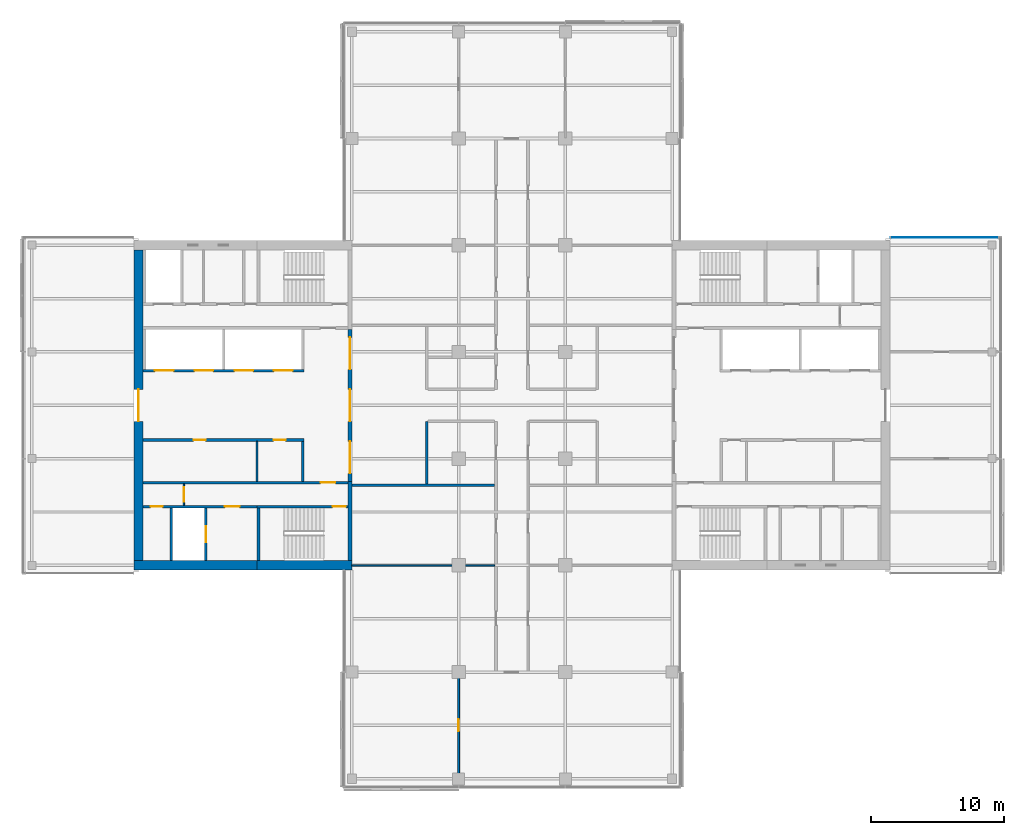
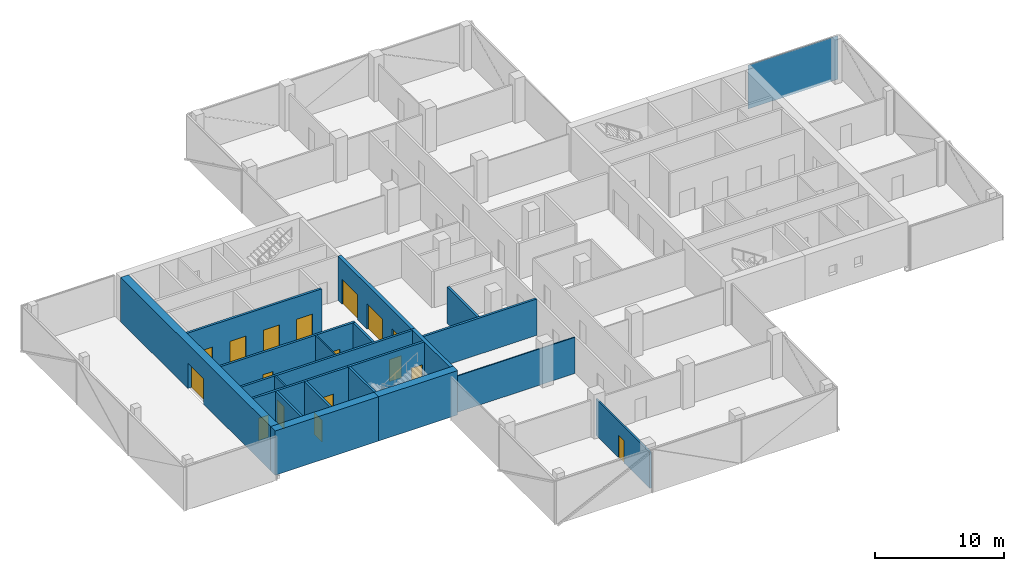
# One storey, part 13 of 22: 20 walls, 17 doors, 1 plate, 17 openings, 1 element without a shape of its own.
"""IFC4 building model written with IfcOpenShell, lengths in metres."""

from ifc_helpers import new_model, si_unit, direction, frame, frame_2d, origin, place, context, subcontext, project, spatial, polyline, rectangle, outline, extrude, material, layer, layer_set, constituent, constituent_set, type_object, element, fill, aggregate, save


model = new_model("IFC4")

# Units and contexts
model_context = context("Model", 3, precision=1e-05, world=origin(), true_north=direction((0.0, 1.0)))
body_context = subcontext(model_context, "Body", "Model", "MODEL_VIEW")
ifc_project = project(units=[si_unit("LENGTHUNIT", "METRE"), si_unit("AREAUNIT", "SQUARE_METRE"), si_unit("VOLUMEUNIT", "CUBIC_METRE"), si_unit("PLANEANGLEUNIT", "RADIAN"), si_unit("MASSUNIT", "GRAM", prefix="KILO")], contexts=[model_context])

# Site, building, storey
site_placement = place(None, origin())
site = spatial("IfcSite", under=ifc_project, at=site_placement, CompositionType="ELEMENT")
building_placement = place(site_placement, origin())
building = spatial("IfcBuilding", under=site, at=building_placement, Name="Crosswind Convention Tower", CompositionType="ELEMENT")
storey_placement = place(building_placement, frame((0.0, 0.0, 133.699951171875)))
storey = spatial("IfcBuildingStorey", under=building, at=storey_placement, Name="L27", CompositionType="ELEMENT", Elevation=133.699951171875)

# Curtain wall, plate
ifc_material_1 = material(Name="Aluminium unitised curtain wall", Category="aluminium")
curtain_wall_type = type_object("IfcCurtainWallType", Name="CORE END SLOT WALL 160", PredefinedType="USERDEFINED", material=ifc_material_1)
curtain_wall_placement = place(storey_placement, origin())
curtain_wall = element("IfcCurtainWall", 1, at=curtain_wall_placement, inside=storey, type_object=curtain_wall_type, Name="CW6 L27 E-N.1-1 slot", ObjectType="UNITISED", PredefinedType="USERDEFINED")
ifc_material_2 = material(Name="Laminated insulating glass unit", Category="glass")
ifc_layer_1 = layer(ifc_material_2, 0.02587890625)
ifc_layer_set_1 = layer_set([ifc_layer_1], Name="TRIANGULAR GLASS PANEL 26")
plate_type = type_object("IfcPlateType", Name="TRIANGULAR GLASS PANEL 26", PredefinedType="CURTAIN_PANEL", material=ifc_layer_set_1)
plate_placement = place(storey_placement, frame((161.449951171875, 112.60693359375, -0.300048828125), z_axis=(0.0, 0.999999915215, 0.000411788894), x_axis=(-1.0, 0.0, 0.0)))
plate = element("IfcPlate", 2, at=plate_placement, type_object=plate_type, Name="CW6 panel 1.1", PredefinedType="CURTAIN_PANEL", context=body_context, shape_type="SweptSolid", body=[
    extrude(outline(polyline([(0.0, 0.0), (8.050048828125, 0.0), (8.050048828125, 4.150146836245408), (0.0, 4.150146836245408), (0.0, 0.0)])), origin(), (0.0, 0.0, -1.0), 0.02587890625),
])
aggregate(curtain_wall, [plate])

# Walls
ifc_material_3 = material(Name="Concrete blockwork", Category="masonry")
ifc_layer_2 = layer(ifc_material_3, 0.199951171875)
ifc_layer_set_2 = layer_set([ifc_layer_2], Name="COMPARTMENT WALL 200 BLOCKWORK")
wall_type_1 = type_object("IfcWallType", Name="COMPARTMENT WALL 200 BLOCKWORK", PredefinedType="SOLIDWALL", material=ifc_layer_set_2)
wall_1_placement = place(storey_placement, frame((118.60009765625, 94.10009765625, 0.0), z_axis=(0.0, 0.0, 1.0), x_axis=(0.0, 1.0, 0.0)))
element("IfcWall", 3, at=wall_1_placement, inside=storey, type_object=wall_type_1, Name="Compartment wall WT42", PredefinedType="SOLIDWALL", context=body_context, shape_type="SweptSolid", body=[
    extrude(rectangle(XDim=4.699951171875, YDim=0.199951171875, at=frame_2d((2.35009765625, 0.0))), origin(), (0.0, 0.0, 1.0), 3.4365234375),
])
wall_2_placement = place(storey_placement, frame((113.0, 94.0, 0.0), z_axis=(0.0, 0.0, 1.0), x_axis=(1.0, 0.0, 0.0)))
element("IfcWall", 4, at=wall_2_placement, inside=storey, type_object=wall_type_1, Name="Compartment wall WT42", PredefinedType="SOLIDWALL", context=body_context, shape_type="SweptSolid", body=[
    extrude(rectangle(XDim=10.699951171875, YDim=0.199951171875, at=frame_2d((5.35009765625, 0.0))), origin(), (0.0, 0.0, 1.0), 3.4365234375),
])

# Wall, opening, door
ifc_material_4 = material(Name="Concrete C60/75", Category="concrete")
ifc_layer_3 = layer(ifc_material_4, 0.699951171875)
ifc_layer_set_3 = layer_set([ifc_layer_3], Name="Concrete C60/75")
wall_type_2 = type_object("IfcWallType", Name="Concrete core wall 700", PredefinedType="SHEAR", material=ifc_layer_set_3)
wall_3_placement = place(storey_placement, frame((97.0, 111.64990234375, 0.0), z_axis=(0.0, 0.0, 1.0), x_axis=(0.0, -1.0, 0.0)))
wall_3 = element("IfcWall", 5, at=wall_3_placement, inside=storey, type_object=wall_type_2, Name="Wall O W L27", PredefinedType="SHEAR", context=body_context, shape_type="SweptSolid", body=[
    extrude(rectangle(XDim=23.2998046875, YDim=0.699951171875, at=frame_2d((11.64990234375, 0.0))), origin(), (0.0, 0.0, 1.0), 4.199951171875),
])
opening_1_placement = place(wall_3_placement, frame((10.449951171875, 0.0, 0.0)))
opening_1 = element("IfcOpeningElement", 6, at=opening_1_placement, cuts=wall_3, Name="Opening D100", PredefinedType="OPENING", context=body_context, shape_type="SweptSolid", body=[
    extrude(rectangle(XDim=2.39990234375, YDim=2.39990234375, at=frame_2d((1.199951171875, 1.199951171875))), frame((0.0, 0.35986328125, 0.0), z_axis=(0.0, -1.0, 0.0), x_axis=(1.0, 0.0, 0.0)), (0.0, 0.0, 1.0), 0.719970703125),
])
ifc_material_5 = material(Name="Steel fire door with glazed vision panels", Category="steel")
door_type_1 = type_object("IfcDoorType", Name="Fire-rated double door 2400x2400", OperationType="DOUBLE_DOOR_SINGLE_SWING", PredefinedType="DOOR", material=ifc_material_5)
door_1_placement = place(opening_1_placement, frame((2.39990234375, 0.0, 0.0), z_axis=(0.0, 0.0, 1.0), x_axis=(-1.0, 0.0, 0.0)))
door_1 = element("IfcDoor", 7, at=door_1_placement, inside=storey, type_object=door_type_1, Name="Lobby outer door L27", ObjectType="D100", OperationType="DOUBLE_DOOR_SINGLE_SWING", OverallHeight=2.39990234375, OverallWidth=2.39990234375, PredefinedType="DOOR", context=body_context, shape_type="SweptSolid", body=[
    extrude(rectangle(XDim=2.39990234375, YDim=2.39990234375, at=frame_2d((1.199951171875, 1.199951171875))), frame((0.0, 0.02490234375, 0.0), z_axis=(0.0, -1.0, 0.0), x_axis=(1.0, 0.0, 0.0)), (0.0, 0.0, 1.0), 0.050048828125),
])
fill(opening_1, door_1)

# Wall, openings, doors
ifc_material_6 = material(Name="Concrete C50/60", Category="concrete")
ifc_layer_4 = layer(ifc_material_6, 0.300048828125)
ifc_layer_set_4 = layer_set([ifc_layer_4], Name="Concrete C50/60")
wall_type_3 = type_object("IfcWallType", Name="Concrete inner core wall 300", PredefinedType="SHEAR", material=ifc_layer_set_4)
wall_4_placement = place(storey_placement, frame((112.85009765625, 105.699951171875, 0.0), z_axis=(0.0, 0.0, 1.0), x_axis=(0.0, -1.0, 0.0)))
wall_4 = element("IfcWall", 8, at=wall_4_placement, inside=storey, type_object=wall_type_3, Name="Wall SCR W L27", PredefinedType="SHEAR", context=body_context, shape_type="SweptSolid", body=[
    extrude(rectangle(XDim=11.39990234375, YDim=0.300048828125, at=frame_2d((5.699951171875, 0.0))), origin(), (0.0, 0.0, 1.0), 4.199951171875),
])
opening_2_placement = place(wall_4_placement, frame((0.60009765625, 0.0, 0.0)))
opening_2 = element("IfcOpeningElement", 9, at=opening_2_placement, cuts=wall_4, Name="Opening D100", PredefinedType="OPENING", context=body_context, shape_type="SweptSolid", body=[
    extrude(rectangle(XDim=2.39990234375, YDim=2.39990234375, at=frame_2d((1.199951171875, 1.199951171875))), frame((0.0, 0.159912109375, 0.0), z_axis=(0.0, -1.0, 0.0), x_axis=(1.0, 0.0, 0.0)), (0.0, 0.0, 1.0), 0.320068359375),
])
opening_3_placement = place(wall_4_placement, frame((4.5, 0.0, 0.0)))
opening_3 = element("IfcOpeningElement", 10, at=opening_3_placement, cuts=wall_4, Name="Opening D100", PredefinedType="OPENING", context=body_context, shape_type="SweptSolid", body=[
    extrude(rectangle(XDim=2.39990234375, YDim=2.39990234375, at=frame_2d((1.199951171875, 1.199951171875))), frame((0.0, 0.159912109375, 0.0), z_axis=(0.0, -1.0, 0.0), x_axis=(1.0, 0.0, 0.0)), (0.0, 0.0, 1.0), 0.320068359375),
])
opening_4_placement = place(wall_4_placement, frame((8.39990234375, 0.0, 0.0)))
opening_4 = element("IfcOpeningElement", 11, at=opening_4_placement, cuts=wall_4, Name="Opening D100", PredefinedType="OPENING", context=body_context, shape_type="SweptSolid", body=[
    extrude(rectangle(XDim=2.39990234375, YDim=2.39990234375, at=frame_2d((1.199951171875, 1.199951171875))), frame((0.0, 0.159912109375, 0.0), z_axis=(0.0, -1.0, 0.0), x_axis=(1.0, 0.0, 0.0)), (0.0, 0.0, 1.0), 0.320068359375),
])
door_2_placement = place(opening_2_placement, origin())
door_2 = element("IfcDoor", 12, at=door_2_placement, inside=storey, type_object=door_type_1, Name="Lobby door 1 L27", ObjectType="D100", OperationType="DOUBLE_DOOR_SINGLE_SWING", OverallHeight=2.39990234375, OverallWidth=2.39990234375, PredefinedType="DOOR", context=body_context, shape_type="SweptSolid", body=[
    extrude(rectangle(XDim=2.39990234375, YDim=2.39990234375, at=frame_2d((1.199951171875, 1.199951171875))), frame((0.0, 0.02490234375, 0.0), z_axis=(0.0, -1.0, 0.0), x_axis=(1.0, 0.0, 0.0)), (0.0, 0.0, 1.0), 0.050048828125),
])
fill(opening_2, door_2)
door_3_placement = place(opening_3_placement, origin())
door_3 = element("IfcDoor", 13, at=door_3_placement, inside=storey, type_object=door_type_1, Name="Lobby door 2 L27", ObjectType="D100", OperationType="DOUBLE_DOOR_SINGLE_SWING", OverallHeight=2.39990234375, OverallWidth=2.39990234375, PredefinedType="DOOR", context=body_context, shape_type="SweptSolid", body=[
    extrude(rectangle(XDim=2.39990234375, YDim=2.39990234375, at=frame_2d((1.199951171875, 1.199951171875))), frame((0.0, 0.02490234375, 0.0), z_axis=(0.0, -1.0, 0.0), x_axis=(1.0, 0.0, 0.0)), (0.0, 0.0, 1.0), 0.050048828125),
])
fill(opening_3, door_3)
door_4_placement = place(opening_4_placement, origin())
door_4 = element("IfcDoor", 14, at=door_4_placement, inside=storey, type_object=door_type_1, Name="Lobby door 3 L27", ObjectType="D100", OperationType="DOUBLE_DOOR_SINGLE_SWING", OverallHeight=2.39990234375, OverallWidth=2.39990234375, PredefinedType="DOOR", context=body_context, shape_type="SweptSolid", body=[
    extrude(rectangle(XDim=2.39990234375, YDim=2.39990234375, at=frame_2d((1.199951171875, 1.199951171875))), frame((0.0, 0.02490234375, 0.0), z_axis=(0.0, -1.0, 0.0), x_axis=(1.0, 0.0, 0.0)), (0.0, 0.0, 1.0), 0.050048828125),
])
fill(opening_4, door_4)

# Walls
wall_5_placement = place(storey_placement, frame((112.85009765625, 94.300048828125, 0.0), z_axis=(0.0, 0.0, 1.0), x_axis=(0.0, -1.0, 0.0)))
element("IfcWall", 15, at=wall_5_placement, inside=storey, type_object=wall_type_3, Name="Wall EP W L27", PredefinedType="SHEAR", context=body_context, shape_type="SweptSolid", body=[
    extrude(rectangle(XDim=5.949951171875, YDim=0.300048828125, at=frame_2d((2.97509765625, 0.0))), origin(), (0.0, 0.0, 1.0), 4.199951171875),
])
ifc_layer_5 = layer(ifc_material_6, 0.199951171875)
ifc_layer_set_5 = layer_set([ifc_layer_5], Name="Concrete C50/60")
wall_type_4 = type_object("IfcWallType", Name="Concrete shaft and stair wall 200", PredefinedType="SHEAR", material=ifc_layer_set_5)
wall_6_placement = place(storey_placement, frame((109.300048828125, 97.300048828125, 0.0), z_axis=(0.0, 0.0, 1.0), x_axis=(0.0, -1.0, 0.0)))
element("IfcWall", 16, at=wall_6_placement, inside=storey, type_object=wall_type_4, Name="Wall RPEND W L27", PredefinedType="SHEAR", context=body_context, shape_type="SweptSolid", body=[
    extrude(rectangle(XDim=3.0, YDim=0.199951171875, at=frame_2d((1.5, 0.0))), origin(), (0.0, 0.0, 1.0), 4.199951171875),
])

# Wall, openings, doors
wall_7_placement = place(storey_placement, frame((109.39990234375, 97.39990234375, 0.0), z_axis=(0.0, 0.0, 1.0), x_axis=(-1.0, 0.0, 0.0)))
wall_7 = element("IfcWall", 17, at=wall_7_placement, inside=storey, type_object=wall_type_4, Name="Wall RPFRONT W L27", PredefinedType="SHEAR", context=body_context, shape_type="SweptSolid", body=[
    extrude(rectangle(XDim=12.0498046875, YDim=0.199951171875, at=frame_2d((6.02490234375, 0.0))), origin(), (0.0, 0.0, 1.0), 4.199951171875),
])
opening_5_placement = place(wall_7_placement, frame((1.377685546875, 0.0, 0.0)))
opening_5 = element("IfcOpeningElement", 18, at=opening_5_placement, cuts=wall_7, Name="Opening D106", PredefinedType="OPENING", context=body_context, shape_type="SweptSolid", body=[
    extrude(rectangle(XDim=0.89990234375, YDim=2.10009765625, at=frame_2d((0.449951171875, 1.050048828125))), frame((0.0, 0.10986328125, 0.0), z_axis=(0.0, -1.0, 0.0), x_axis=(1.0, 0.0, 0.0)), (0.0, 0.0, 1.0), 0.219970703125),
])
opening_6_placement = place(wall_7_placement, frame((7.365234375, 0.0, 0.0)))
opening_6 = element("IfcOpeningElement", 19, at=opening_6_placement, cuts=wall_7, Name="Opening D106", PredefinedType="OPENING", context=body_context, shape_type="SweptSolid", body=[
    extrude(rectangle(XDim=0.89990234375, YDim=2.10009765625, at=frame_2d((0.449951171875, 1.050048828125))), frame((0.0, 0.10986328125, 0.0), z_axis=(0.0, -1.0, 0.0), x_axis=(1.0, 0.0, 0.0)), (0.0, 0.0, 1.0), 0.219970703125),
])
ifc_material_7 = material(Name="Timber door", Category="wood")
door_type_2 = type_object("IfcDoorType", Name="Single leaf door 900x2100", OperationType="NOTDEFINED", PredefinedType="DOOR", material=ifc_material_7)
door_5_placement = place(opening_5_placement, origin())
door_5 = element("IfcDoor", 20, at=door_5_placement, inside=storey, type_object=door_type_2, Name="Door to tenant services room L27", ObjectType="D106", OperationType="SINGLE_SWING_RIGHT", OverallHeight=2.10009765625, OverallWidth=0.89990234375, PredefinedType="DOOR", context=body_context, shape_type="SweptSolid", body=[
    extrude(rectangle(XDim=0.89990234375, YDim=2.10009765625, at=frame_2d((0.449951171875, 1.050048828125))), frame((0.0, 0.02490234375, 0.0), z_axis=(0.0, -1.0, 0.0), x_axis=(1.0, 0.0, 0.0)), (0.0, 0.0, 1.0), 0.050048828125),
])
fill(opening_5, door_5)
door_6_placement = place(opening_6_placement, origin())
door_6 = element("IfcDoor", 21, at=door_6_placement, inside=storey, type_object=door_type_2, Name="Door to copy and print room L27", ObjectType="D106", OperationType="SINGLE_SWING_RIGHT", OverallHeight=2.10009765625, OverallWidth=0.89990234375, PredefinedType="DOOR", context=body_context, shape_type="SweptSolid", body=[
    extrude(rectangle(XDim=0.89990234375, YDim=2.10009765625, at=frame_2d((0.449951171875, 1.050048828125))), frame((0.0, 0.02490234375, 0.0), z_axis=(0.0, -1.0, 0.0), x_axis=(1.0, 0.0, 0.0)), (0.0, 0.0, 1.0), 0.050048828125),
])
fill(opening_6, door_6)

wall_8_placement = place(storey_placement, frame((109.39990234375, 102.60009765625, 0.0), z_axis=(0.0, 0.0, 1.0), x_axis=(-1.0, 0.0, 0.0)))
wall_8 = element("IfcWall", 22, at=wall_8_placement, inside=storey, type_object=wall_type_4, Name="Wall RMFRONT W L27", PredefinedType="SHEAR", context=body_context, shape_type="SweptSolid", body=[
    extrude(rectangle(XDim=12.0498046875, YDim=0.199951171875, at=frame_2d((6.02490234375, 0.0))), origin(), (0.0, 0.0, 1.0), 4.199951171875),
])
opening_7_placement = place(wall_8_placement, frame((0.85009765625, 0.0, 0.0)))
opening_7 = element("IfcOpeningElement", 23, at=opening_7_placement, cuts=wall_8, Name="Opening LD2", PredefinedType="OPENING", context=body_context, shape_type="SweptSolid", body=[
    extrude(rectangle(XDim=1.39990234375, YDim=2.10009765625, at=frame_2d((0.699951171875, 1.050048828125))), frame((0.0, 0.10986328125, 0.0), z_axis=(0.0, -1.0, 0.0), x_axis=(1.0, 0.0, 0.0)), (0.0, 0.0, 1.0), 0.219970703125),
])
opening_8_placement = place(wall_8_placement, frame((3.800048828125, 0.0, 0.0)))
opening_8 = element("IfcOpeningElement", 24, at=opening_8_placement, cuts=wall_8, Name="Opening LD2", PredefinedType="OPENING", context=body_context, shape_type="SweptSolid", body=[
    extrude(rectangle(XDim=1.39990234375, YDim=2.10009765625, at=frame_2d((0.699951171875, 1.050048828125))), frame((0.0, 0.10986328125, 0.0), z_axis=(0.0, -1.0, 0.0), x_axis=(1.0, 0.0, 0.0)), (0.0, 0.0, 1.0), 0.219970703125),
])
opening_9_placement = place(wall_8_placement, frame((6.800048828125, 0.0, 0.0)))
opening_9 = element("IfcOpeningElement", 25, at=opening_9_placement, cuts=wall_8, Name="Opening LD2", PredefinedType="OPENING", context=body_context, shape_type="SweptSolid", body=[
    extrude(rectangle(XDim=1.39990234375, YDim=2.10009765625, at=frame_2d((0.699951171875, 1.050048828125))), frame((0.0, 0.10986328125, 0.0), z_axis=(0.0, -1.0, 0.0), x_axis=(1.0, 0.0, 0.0)), (0.0, 0.0, 1.0), 0.219970703125),
])
opening_10_placement = place(wall_8_placement, frame((9.77490234375, 0.0, 0.0)))
opening_10 = element("IfcOpeningElement", 26, at=opening_10_placement, cuts=wall_8, Name="Opening LD2", PredefinedType="OPENING", context=body_context, shape_type="SweptSolid", body=[
    extrude(rectangle(XDim=1.39990234375, YDim=2.10009765625, at=frame_2d((0.699951171875, 1.050048828125))), frame((0.0, 0.10986328125, 0.0), z_axis=(0.0, -1.0, 0.0), x_axis=(1.0, 0.0, 0.0)), (0.0, 0.0, 1.0), 0.219970703125),
])
ifc_material_8 = material(Name="Stainless steel", Category="steel")
door_type_3 = type_object("IfcDoorType", Name="Lift landing door 1400x2100", OperationType="DOUBLE_DOOR_SLIDING", PredefinedType="DOOR", material=ifc_material_8)
door_7_placement = place(opening_7_placement, origin())
door_7 = element("IfcDoor", 27, at=door_7_placement, inside=storey, type_object=door_type_3, Name="Landing door A5 L27", ObjectType="LD2", OperationType="DOUBLE_DOOR_SLIDING", OverallHeight=2.10009765625, OverallWidth=1.39990234375, PredefinedType="DOOR", context=body_context, shape_type="SweptSolid", body=[
    extrude(rectangle(XDim=1.39990234375, YDim=2.10009765625, at=frame_2d((0.699951171875, 1.050048828125))), frame((0.0, 0.02490234375, 0.0), z_axis=(0.0, -1.0, 0.0), x_axis=(1.0, 0.0, 0.0)), (0.0, 0.0, 1.0), 0.050048828125),
])
fill(opening_7, door_7)
door_8_placement = place(opening_8_placement, origin())
door_8 = element("IfcDoor", 28, at=door_8_placement, inside=storey, type_object=door_type_3, Name="Landing door A6 L27", ObjectType="LD2", OperationType="DOUBLE_DOOR_SLIDING", OverallHeight=2.10009765625, OverallWidth=1.39990234375, PredefinedType="DOOR", context=body_context, shape_type="SweptSolid", body=[
    extrude(rectangle(XDim=1.39990234375, YDim=2.10009765625, at=frame_2d((0.699951171875, 1.050048828125))), frame((0.0, 0.02490234375, 0.0), z_axis=(0.0, -1.0, 0.0), x_axis=(1.0, 0.0, 0.0)), (0.0, 0.0, 1.0), 0.050048828125),
])
fill(opening_8, door_8)
door_9_placement = place(opening_9_placement, origin())
door_9 = element("IfcDoor", 29, at=door_9_placement, inside=storey, type_object=door_type_3, Name="Landing door A7 L27", ObjectType="LD2", OperationType="DOUBLE_DOOR_SLIDING", OverallHeight=2.10009765625, OverallWidth=1.39990234375, PredefinedType="DOOR", context=body_context, shape_type="SweptSolid", body=[
    extrude(rectangle(XDim=1.39990234375, YDim=2.10009765625, at=frame_2d((0.699951171875, 1.050048828125))), frame((0.0, 0.02490234375, 0.0), z_axis=(0.0, -1.0, 0.0), x_axis=(1.0, 0.0, 0.0)), (0.0, 0.0, 1.0), 0.050048828125),
])
fill(opening_9, door_9)
door_10_placement = place(opening_10_placement, origin())
door_10 = element("IfcDoor", 30, at=door_10_placement, inside=storey, type_object=door_type_3, Name="Landing door A8 L27", ObjectType="LD2", OperationType="DOUBLE_DOOR_SLIDING", OverallHeight=2.10009765625, OverallWidth=1.39990234375, PredefinedType="DOOR", context=body_context, shape_type="SweptSolid", body=[
    extrude(rectangle(XDim=1.39990234375, YDim=2.10009765625, at=frame_2d((0.699951171875, 1.050048828125))), frame((0.0, 0.02490234375, 0.0), z_axis=(0.0, -1.0, 0.0), x_axis=(1.0, 0.0, 0.0)), (0.0, 0.0, 1.0), 0.050048828125),
])
fill(opening_10, door_10)

# Wall, opening, door
wall_9_placement = place(storey_placement, frame((112.699951171875, 94.199951171875, 0.0), z_axis=(0.0, 0.0, 1.0), x_axis=(-1.0, 0.0, 0.0)))
wall_9 = element("IfcWall", 31, at=wall_9_placement, inside=storey, type_object=wall_type_4, Name="Wall HP W L27", PredefinedType="SHEAR", context=body_context, shape_type="SweptSolid", body=[
    extrude(rectangle(XDim=15.349853515625, YDim=0.199951171875, at=frame_2d((7.6748046875, 0.0))), origin(), (0.0, 0.0, 1.0), 4.199951171875),
])
opening_11_placement = place(wall_9_placement, frame((0.949951171875, 0.0, 0.0)))
opening_11 = element("IfcOpeningElement", 32, at=opening_11_placement, cuts=wall_9, Name="Opening D104", PredefinedType="OPENING", context=body_context, shape_type="SweptSolid", body=[
    extrude(rectangle(XDim=1.10009765625, YDim=2.10009765625, at=frame_2d((0.550048828125, 1.050048828125))), frame((0.0, 0.10986328125, 0.0), z_axis=(0.0, -1.0, 0.0), x_axis=(1.0, 0.0, 0.0)), (0.0, 0.0, 1.0), 0.219970703125),
])
ifc_material_9 = material(Name="Steel fire door", Category="steel")
door_type_4 = type_object("IfcDoorType", Name="Fire-rated single door 1100x2100", OperationType="NOTDEFINED", PredefinedType="DOOR", material=ifc_material_9)
door_11_placement = place(opening_11_placement, origin())
door_11 = element("IfcDoor", 33, at=door_11_placement, inside=storey, type_object=door_type_4, Name="Corridor door L27", ObjectType="D104", OperationType="SINGLE_SWING_LEFT", OverallHeight=2.10009765625, OverallWidth=1.10009765625, PredefinedType="DOOR", context=body_context, shape_type="SweptSolid", body=[
    extrude(rectangle(XDim=1.10009765625, YDim=2.10009765625, at=frame_2d((0.550048828125, 1.050048828125))), frame((0.0, 0.02490234375, 0.0), z_axis=(0.0, -1.0, 0.0), x_axis=(1.0, 0.0, 0.0)), (0.0, 0.0, 1.0), 0.050048828125),
])
fill(opening_11, door_11)

# Wall
wall_10_placement = place(storey_placement, frame((106.0, 92.300048828125, 0.0), z_axis=(0.0, 0.0, 1.0), x_axis=(0.0, -1.0, 0.0)))
element("IfcWall", 34, at=wall_10_placement, inside=storey, type_object=wall_type_4, Name="Wall PSE W L27", PredefinedType="SHEAR", context=body_context, shape_type="SweptSolid", body=[
    extrude(rectangle(XDim=3.949951171875, YDim=0.199951171875, at=frame_2d((1.97509765625, 0.0))), origin(), (0.0, 0.0, 1.0), 4.199951171875),
])

# Wall, opening, door
wall_11_placement = place(storey_placement, frame((102.050048828125, 92.300048828125, 0.0), z_axis=(0.0, 0.0, 1.0), x_axis=(0.0, -1.0, 0.0)))
wall_11 = element("IfcWall", 35, at=wall_11_placement, inside=storey, type_object=wall_type_4, Name="Wall PFLW W L27", PredefinedType="SHEAR", context=body_context, shape_type="SweptSolid", body=[
    extrude(rectangle(XDim=3.949951171875, YDim=0.199951171875, at=frame_2d((1.97509765625, 0.0))), origin(), (0.0, 0.0, 1.0), 4.199951171875),
])
opening_12_placement = place(wall_11_placement, frame((1.375, 0.0, 0.0)))
opening_12 = element("IfcOpeningElement", 36, at=opening_12_placement, cuts=wall_11, Name="Opening LD1", PredefinedType="OPENING", context=body_context, shape_type="SweptSolid", body=[
    extrude(rectangle(XDim=1.199951171875, YDim=2.10009765625, at=frame_2d((0.60009765625, 1.050048828125))), frame((0.0, 0.10986328125, 0.0), z_axis=(0.0, -1.0, 0.0), x_axis=(1.0, 0.0, 0.0)), (0.0, 0.0, 1.0), 0.219970703125),
])
door_type_5 = type_object("IfcDoorType", Name="Lift landing door 1200x2100", OperationType="DOUBLE_DOOR_SLIDING", PredefinedType="DOOR", material=ifc_material_8)
door_12_placement = place(opening_12_placement, origin())
door_12 = element("IfcDoor", 37, at=door_12_placement, inside=storey, type_object=door_type_5, Name="Landing door FF2 L27", ObjectType="LD1", OperationType="DOUBLE_DOOR_SLIDING", OverallHeight=2.10009765625, OverallWidth=1.199951171875, PredefinedType="DOOR", context=body_context, shape_type="SweptSolid", body=[
    extrude(rectangle(XDim=1.199951171875, YDim=2.10009765625, at=frame_2d((0.60009765625, 1.050048828125))), frame((0.0, 0.02490234375, 0.0), z_axis=(0.0, -1.0, 0.0), x_axis=(1.0, 0.0, 0.0)), (0.0, 0.0, 1.0), 0.050048828125),
])
fill(opening_12, door_12)

# Wall
wall_12_placement = place(storey_placement, frame((99.449951171875, 92.300048828125, 0.0), z_axis=(0.0, 0.0, 1.0), x_axis=(0.0, -1.0, 0.0)))
element("IfcWall", 38, at=wall_12_placement, inside=storey, type_object=wall_type_4, Name="Wall PFSE W L27", PredefinedType="SHEAR", context=body_context, shape_type="SweptSolid", body=[
    extrude(rectangle(XDim=3.949951171875, YDim=0.199951171875, at=frame_2d((1.97509765625, 0.0))), origin(), (0.0, 0.0, 1.0), 4.199951171875),
])

# Wall, opening, door
wall_13_placement = place(storey_placement, frame((112.699951171875, 92.39990234375, 0.0), z_axis=(0.0, 0.0, 1.0), x_axis=(-1.0, 0.0, 0.0)))
wall_13 = element("IfcWall", 39, at=wall_13_placement, inside=storey, type_object=wall_type_4, Name="Wall PCW W L27", PredefinedType="SHEAR", context=body_context, shape_type="SweptSolid", body=[
    extrude(rectangle(XDim=6.800048828125, YDim=0.199951171875, at=frame_2d((3.39990234375, 0.0))), origin(), (0.0, 0.0, 1.0), 4.199951171875),
])
opening_13_placement = place(wall_13_placement, frame((0.14990234375, 0.0, 0.0)))
opening_13 = element("IfcOpeningElement", 40, at=opening_13_placement, cuts=wall_13, Name="Opening D103", PredefinedType="OPENING", context=body_context, shape_type="SweptSolid", body=[
    extrude(rectangle(XDim=1.0, YDim=2.10009765625, at=frame_2d((0.5, 1.050048828125))), frame((0.0, 0.10986328125, 0.0), z_axis=(0.0, -1.0, 0.0), x_axis=(1.0, 0.0, 0.0)), (0.0, 0.0, 1.0), 0.219970703125),
])
door_type_6 = type_object("IfcDoorType", Name="Fire-rated single door 1000x2100", OperationType="NOTDEFINED", PredefinedType="DOOR", material=ifc_material_9)
door_13_placement = place(opening_13_placement, origin())
door_13 = element("IfcDoor", 41, at=door_13_placement, inside=storey, type_object=door_type_6, Name="Stair ST3 door L27", ObjectType="D103", OperationType="SINGLE_SWING_LEFT", OverallHeight=2.10009765625, OverallWidth=1.0, PredefinedType="DOOR", context=body_context, shape_type="SweptSolid", body=[
    extrude(rectangle(XDim=1.0, YDim=2.10009765625, at=frame_2d((0.5, 1.050048828125))), frame((0.0, 0.02490234375, 0.0), z_axis=(0.0, -1.0, 0.0), x_axis=(1.0, 0.0, 0.0)), (0.0, 0.0, 1.0), 0.050048828125),
])
fill(opening_13, door_13)

# Wall, openings, doors
wall_14_placement = place(storey_placement, frame((105.89990234375, 92.39990234375, 0.0), z_axis=(0.0, 0.0, 1.0), x_axis=(-1.0, 0.0, 0.0)))
wall_14 = element("IfcWall", 42, at=wall_14_placement, inside=storey, type_object=wall_type_4, Name="Wall PCX W L27", PredefinedType="SHEAR", context=body_context, shape_type="SweptSolid", body=[
    extrude(rectangle(XDim=8.5498046875, YDim=0.199951171875, at=frame_2d((4.27490234375, 0.0))), origin(), (0.0, 0.0, 1.0), 4.199951171875),
])
opening_14_placement = place(wall_14_placement, frame((1.324951171875, 0.0, 0.0)))
opening_14 = element("IfcOpeningElement", 43, at=opening_14_placement, cuts=wall_14, Name="Opening D104", PredefinedType="OPENING", context=body_context, shape_type="SweptSolid", body=[
    extrude(rectangle(XDim=1.10009765625, YDim=2.10009765625, at=frame_2d((0.550048828125, 1.050048828125))), frame((0.0, 0.10986328125, 0.0), z_axis=(0.0, -1.0, 0.0), x_axis=(1.0, 0.0, 0.0)), (0.0, 0.0, 1.0), 0.219970703125),
])
opening_15_placement = place(wall_14_placement, frame((7.10009765625, 0.0, 0.0)))
opening_15 = element("IfcOpeningElement", 44, at=opening_15_placement, cuts=wall_14, Name="Opening D106", PredefinedType="OPENING", context=body_context, shape_type="SweptSolid", body=[
    extrude(rectangle(XDim=0.89990234375, YDim=2.10009765625, at=frame_2d((0.449951171875, 1.050048828125))), frame((0.0, 0.10986328125, 0.0), z_axis=(0.0, -1.0, 0.0), x_axis=(1.0, 0.0, 0.0)), (0.0, 0.0, 1.0), 0.219970703125),
])
door_14_placement = place(opening_14_placement, origin())
door_14 = element("IfcDoor", 45, at=door_14_placement, inside=storey, type_object=door_type_4, Name="Fire-fighting lobby FF2 door L27", ObjectType="D104", OperationType="SINGLE_SWING_RIGHT", OverallHeight=2.10009765625, OverallWidth=1.10009765625, PredefinedType="DOOR", context=body_context, shape_type="SweptSolid", body=[
    extrude(rectangle(XDim=1.10009765625, YDim=2.10009765625, at=frame_2d((0.550048828125, 1.050048828125))), frame((0.0, 0.02490234375, 0.0), z_axis=(0.0, -1.0, 0.0), x_axis=(1.0, 0.0, 0.0)), (0.0, 0.0, 1.0), 0.050048828125),
])
fill(opening_14, door_14)
door_15_placement = place(opening_15_placement, origin())
door_15 = element("IfcDoor", 46, at=door_15_placement, inside=storey, type_object=door_type_2, Name="Door to telecoms room L27", ObjectType="D106", OperationType="SINGLE_SWING_RIGHT", OverallHeight=2.10009765625, OverallWidth=0.89990234375, PredefinedType="DOOR", context=body_context, shape_type="SweptSolid", body=[
    extrude(rectangle(XDim=0.89990234375, YDim=2.10009765625, at=frame_2d((0.449951171875, 1.050048828125))), frame((0.0, 0.02490234375, 0.0), z_axis=(0.0, -1.0, 0.0), x_axis=(1.0, 0.0, 0.0)), (0.0, 0.0, 1.0), 0.050048828125),
])
fill(opening_15, door_15)

# Wall
ifc_material_10 = material(Name="Gypsum plasterboard partition", Category="gypsum")
ifc_layer_6 = layer(ifc_material_10, 0.125)
ifc_layer_set_6 = layer_set([ifc_layer_6], Name="Drywall partition wall 125")
wall_type_5 = type_object("IfcWallType", Name="Drywall partition wall 125", PredefinedType="PARTITIONING", material=ifc_layer_set_6)
wall_15_placement = place(storey_placement, frame((105.882080078125, 97.300048828125, 0.0), z_axis=(0.0, 0.0, 1.0), x_axis=(0.0, -1.0, 0.0)))
element("IfcWall", 47, at=wall_15_placement, inside=storey, type_object=wall_type_5, Name="Wall RPP1 W L27", PredefinedType="PARTITIONING", context=body_context, shape_type="SweptSolid", body=[
    extrude(rectangle(XDim=3.0, YDim=0.125, at=frame_2d((1.5, 0.0))), origin(), (0.0, 0.0, 1.0), 4.199951171875),
])

# Wall, opening, door
wall_16_placement = place(storey_placement, frame((100.39990234375, 94.10009765625, 0.0), z_axis=(0.0, 0.0, 1.0), x_axis=(0.0, -1.0, 0.0)))
wall_16 = element("IfcWall", 48, at=wall_16_placement, inside=storey, type_object=wall_type_5, Name="Wall PXC1 W L27", PredefinedType="PARTITIONING", context=body_context, shape_type="SweptSolid", body=[
    extrude(rectangle(XDim=1.60009765625, YDim=0.125, at=frame_2d((0.800048828125, 0.0))), origin(), (0.0, 0.0, 1.0), 4.199951171875),
])
opening_16_placement = place(wall_16_placement, frame((0.25, 0.0, 0.0)))
opening_16 = element("IfcOpeningElement", 49, at=opening_16_placement, cuts=wall_16, Name="Opening D104", PredefinedType="OPENING", context=body_context, shape_type="SweptSolid", body=[
    extrude(rectangle(XDim=1.10009765625, YDim=2.10009765625, at=frame_2d((0.550048828125, 1.050048828125))), frame((0.0, 0.072509765625, 0.0), z_axis=(0.0, -1.0, 0.0), x_axis=(1.0, 0.0, 0.0)), (0.0, 0.0, 1.0), 0.14501953125),
])
door_16_placement = place(opening_16_placement, origin())
door_16 = element("IfcDoor", 50, at=door_16_placement, inside=storey, type_object=door_type_4, Name="Corridor smoke door L27", ObjectType="D104", OperationType="SINGLE_SWING_RIGHT", OverallHeight=2.10009765625, OverallWidth=1.10009765625, PredefinedType="DOOR", context=body_context, shape_type="SweptSolid", body=[
    extrude(rectangle(XDim=1.10009765625, YDim=2.10009765625, at=frame_2d((0.550048828125, 1.050048828125))), frame((0.0, 0.02490234375, 0.0), z_axis=(0.0, -1.0, 0.0), x_axis=(1.0, 0.0, 0.0)), (0.0, 0.0, 1.0), 0.050048828125),
])
fill(opening_16, door_16)

# Wall
ifc_material_11 = material(Name="Plasterboard partition", Category="gypsum")
ifc_layer_7 = layer(ifc_material_11, 0.10009765625)
ifc_layer_set_7 = layer_set([ifc_layer_7], Name="PARTITION 100 METAL STUD")
wall_type_6 = type_object("IfcWallType", Name="PARTITION 100 METAL STUD", PredefinedType="PARTITIONING", material=ifc_layer_set_7)
wall_17_placement = place(storey_placement, frame((113.0, 88.0, 0.0), z_axis=(0.0, 0.0, 1.0), x_axis=(1.0, 0.0, 0.0)))
element("IfcWall", 51, at=wall_17_placement, inside=storey, type_object=wall_type_6, Name="Partition wall WT40", PredefinedType="PARTITIONING", context=body_context, shape_type="SweptSolid", body=[
    extrude(rectangle(XDim=10.699951171875, YDim=0.10009765625, at=frame_2d((5.35009765625, 0.0))), origin(), (0.0, 0.0, 1.0), 3.4365234375),
])

# Wall, opening, door
ifc_material_12 = material(Name="Fire-board partition with mineral wool", Category="gypsum")
ifc_layer_8 = layer(ifc_material_12, 0.14990234375)
ifc_layer_set_8 = layer_set([ifc_layer_8], Name="TENANCY WALL 150 TWO-HOUR BOARD")
wall_type_7 = type_object("IfcWallType", Name="TENANCY WALL 150 TWO-HOUR BOARD", PredefinedType="PARTITIONING", material=ifc_layer_set_8)
wall_18_placement = place(storey_placement, frame((121.0, 71.580078125, 0.0), z_axis=(0.0, 0.0, 1.0), x_axis=(0.0, 1.0, 0.0)))
wall_18 = element("IfcWall", 52, at=wall_18_placement, inside=storey, type_object=wall_type_7, Name="Tenancy wall WT41", PredefinedType="PARTITIONING", context=body_context, shape_type="SweptSolid", body=[
    extrude(rectangle(XDim=8.344970703125, YDim=0.14990234375, at=frame_2d((4.17236328125, 0.0))), origin(), (0.0, 0.0, 1.0), 3.4365234375),
])
opening_17_placement = place(wall_18_placement, frame((3.969970703125, 0.0, 0.0)))
opening_17 = element("IfcOpeningElement", 53, at=opening_17_placement, cuts=wall_18, Name="Opening L27-67", PredefinedType="OPENING", context=body_context, shape_type="SweptSolid", body=[
    extrude(rectangle(XDim=0.89990234375, YDim=2.10009765625, at=frame_2d((0.449951171875, 1.050048828125))), frame((0.0, 0.0849609375, 0.0), z_axis=(0.0, -1.0, 0.0), x_axis=(1.0, 0.0, 0.0)), (0.0, 0.0, 1.0), 0.169921875),
])
door_type_7 = type_object("IfcDoorType", Name="INTERNAL DOOR 900X2100", OperationType="NOTDEFINED", PredefinedType="DOOR", material=ifc_material_7)
door_17_placement = place(opening_17_placement, origin())
door_17 = element("IfcDoor", 54, at=door_17_placement, inside=storey, type_object=door_type_7, Name="Door L27-67", ObjectType="D40", OperationType="SINGLE_SWING_RIGHT", OverallHeight=2.10009765625, OverallWidth=0.89990234375, PredefinedType="DOOR", context=body_context, shape_type="SweptSolid", body=[
    extrude(rectangle(XDim=0.89990234375, YDim=2.10009765625, at=frame_2d((0.449951171875, 1.050048828125))), frame((0.0, 0.02490234375, 0.0), z_axis=(0.0, -1.0, 0.0), x_axis=(1.0, 0.0, 0.0)), (0.0, 0.0, 1.0), 0.050048828125),
])
fill(opening_17, door_17)

# Walls
ifc_constituent_1 = constituent(ifc_material_4, Name="Structure")
ifc_material_13 = material(Name="Terracotta rainscreen", Category="ceramic")
ifc_constituent_2 = constituent(ifc_material_13, Name="Facing")
ifc_constituent_set = constituent_set(constituents=[ifc_constituent_1, ifc_constituent_2], Name="Concrete C60/75, Terracotta rainscreen")
wall_type_8 = type_object("IfcWallType", Name="Terracotta rainscreen on concrete core wall 700", PredefinedType="SHEAR", material=ifc_constituent_set)
wall_19_placement = place(storey_placement, frame((113.0, 88.0, 0.0), z_axis=(0.0, 0.0, 1.0), x_axis=(-1.0, 0.0, 0.0)))
element("IfcWall", 55, at=wall_19_placement, inside=storey, type_object=wall_type_8, Name="Wall N1 W L27", PredefinedType="SHEAR", context=body_context, shape_type="SweptSolid", body=[
    extrude(rectangle(XDim=7.10009765625, YDim=0.699951171875, at=frame_2d((3.550048828125, 0.0))), origin(), (0.0, 0.0, 1.0), 4.199951171875),
])
wall_20_placement = place(storey_placement, frame((105.89990234375, 88.0, 0.0), z_axis=(0.0, 0.0, 1.0), x_axis=(-1.0, 0.0, 0.0)))
element("IfcWall", 56, at=wall_20_placement, inside=storey, type_object=wall_type_8, Name="Wall N2 W L27", PredefinedType="SHEAR", context=body_context, shape_type="SweptSolid", body=[
    extrude(rectangle(XDim=9.25, YDim=0.699951171875, at=frame_2d((4.625, 0.0))), origin(), (0.0, 0.0, 1.0), 4.199951171875),
])

save(model, "model.ifc")
